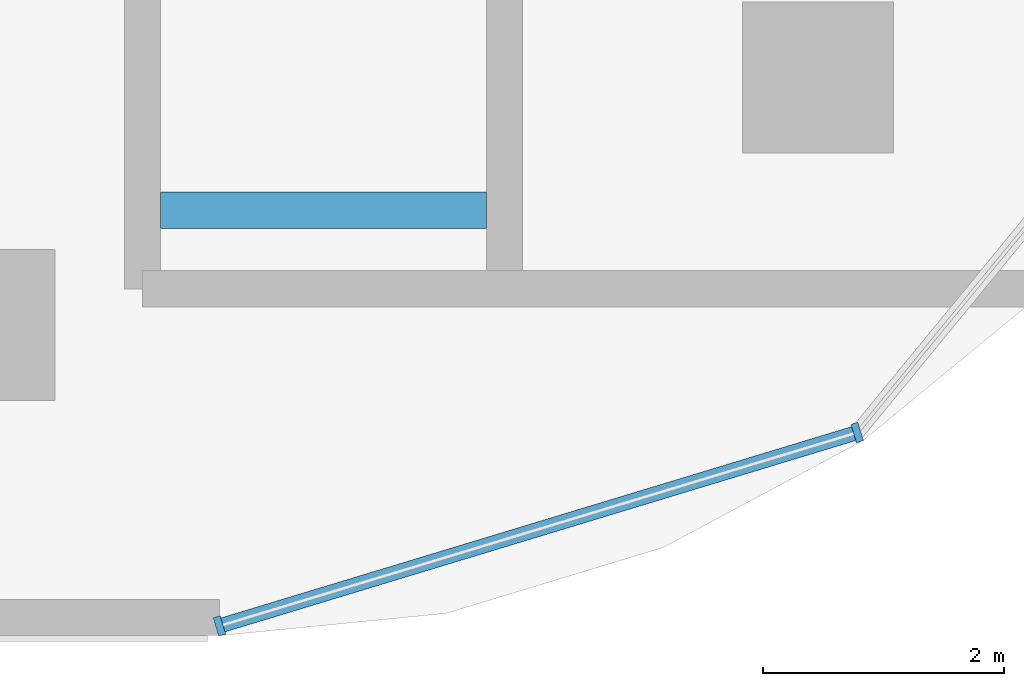
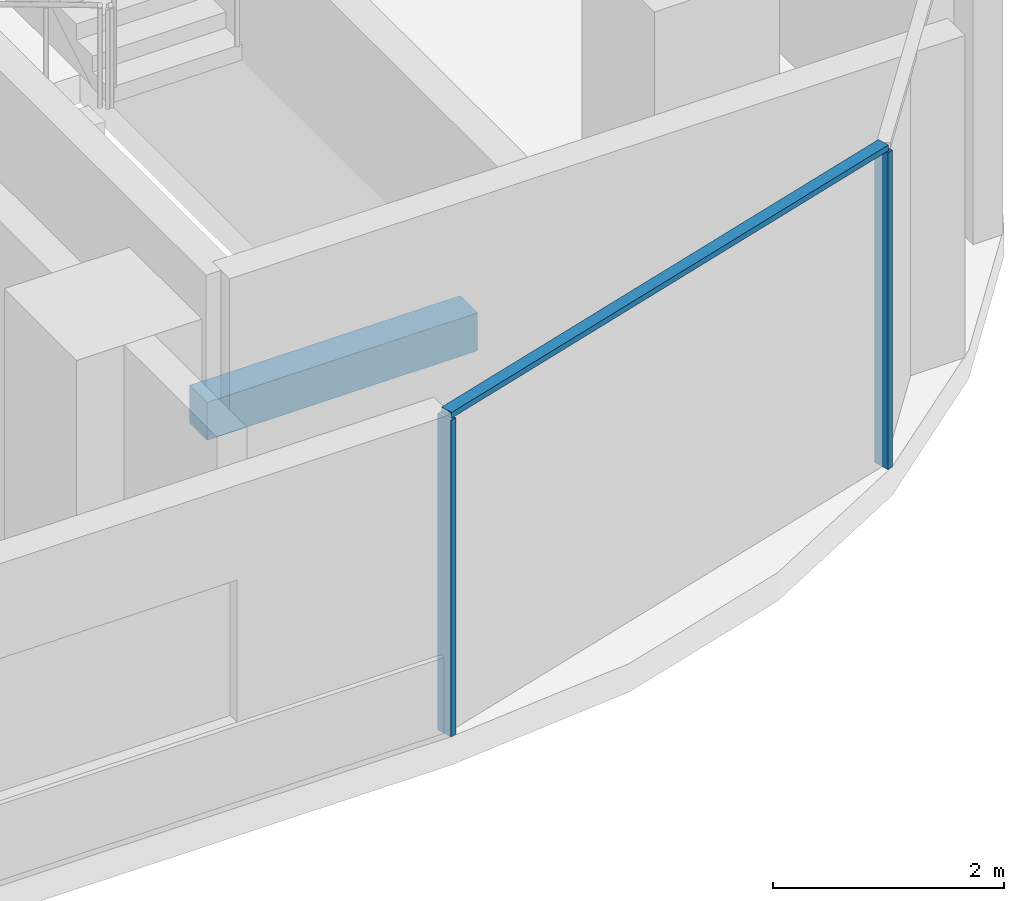
# One storey, part 3 of 23: 3 members, 1 beam, 1 element without a shape of its own.
"""IFC4 building model written with IfcOpenShell, lengths in metres."""

import ifcopenshell
import ifcopenshell.guid

model = None  # the IFC model being written
_history = None  # IfcOwnerHistory: only IFC2X3 demands one
_inside = {}  # id of a spatial element -> (the spatial element, [elements in it])
_under = {}  # id of a project, library or spatial element -> (it, [spatial elements below it])
_declared = {}  # id of a project -> (the project, [libraries it declares])
_typed = {}  # id of a type object -> (the type object, [elements of that type])
_made_of = {}  # id of a material, layer set ... -> (it, [elements and type objects made of it])


def new_model(schema):
    """Start an empty IFC model of exactly this schema.

    Asked for "IFC4X3", IfcOpenShell would pick the latest addendum, in which some entities
    have other attributes; the version numbers below select the first issue.
    IFC2X3 requires an IfcOwnerHistory on every rooted entity: one is made here for all.
    """
    global model, _history
    if schema == "IFC4X3":
        model = ifcopenshell.file(schema_version=(4, 3, 0, 0))
    else:
        model = ifcopenshell.file(schema=schema)
    _inside.clear()
    _under.clear()
    _declared.clear()
    _typed.clear()
    _made_of.clear()
    _history = None
    if model.schema == "IFC2X3":
        org = make("IfcOrganization", Name="unknown")
        user = make(
            "IfcPersonAndOrganization",
            ThePerson=make("IfcPerson", FamilyName="unknown"),
            TheOrganization=org,
        )
        app = make(
            "IfcApplication",
            ApplicationDeveloper=org,
            Version="unknown",
            ApplicationFullName="unknown",
            ApplicationIdentifier="unknown",
        )
        _history = make(
            "IfcOwnerHistory",
            OwningUser=user,
            OwningApplication=app,
            ChangeAction="ADDED",
            CreationDate=0,
        )
    return model


def make(cls, **values):
    """One entity of the class cls with the attributes given. An attribute that is None is left unset."""
    return model.create_entity(
        cls, **{name: value for name, value in values.items() if value is not None}
    )


def rooted(cls, **values):
    """An entity with a GlobalId (a new one), such as an element, a storey or a relation."""
    return make(cls, GlobalId=ifcopenshell.guid.new(), OwnerHistory=_history, **values)


def si_unit(unit_type, name, prefix=None):
    """IfcSIUnit, for example si_unit("LENGTHUNIT", "METRE", prefix="MILLI")."""
    return make("IfcSIUnit", UnitType=unit_type, Prefix=prefix, Name=name)


def assignment(units):
    """IfcUnitAssignment: the units of a project."""
    return None if units is None else make("IfcUnitAssignment", Units=units)


def point(xyz):
    """IfcCartesianPoint."""
    return None if xyz is None else make("IfcCartesianPoint", Coordinates=xyz)


def direction(xyz):
    """IfcDirection."""
    return None if xyz is None else make("IfcDirection", DirectionRatios=xyz)


def frame(location, z_axis=None, x_axis=None):
    """IfcAxis2Placement3D, a coordinate frame: its origin and axes. An axis left out is left unset."""
    return make(
        "IfcAxis2Placement3D",
        Location=point(location),
        Axis=direction(z_axis),
        RefDirection=direction(x_axis),
    )


def frame_2d(location, x_axis=None):
    """IfcAxis2Placement2D, a coordinate frame in the plane: its origin and x axis."""
    return make(
        "IfcAxis2Placement2D", Location=point(location), RefDirection=direction(x_axis)
    )


def origin():
    """The frame at (0, 0, 0) with its axes left unset."""
    return frame((0.0, 0.0, 0.0))


def origin_2d():
    """The frame at (0, 0) in the plane with its x axis left unset."""
    return frame_2d((0.0, 0.0))


def place(relative_to, where):
    """IfcLocalPlacement: puts the frame where relative to a parent placement (None: the world)."""
    return make(
        "IfcLocalPlacement", PlacementRelTo=relative_to, RelativePlacement=where
    )


def context(
    kind, dimensions, precision=None, world=None, true_north=None, identifier=None
):
    """IfcGeometricRepresentationContext, for example the 3D "Model" context."""
    return make(
        "IfcGeometricRepresentationContext",
        ContextIdentifier=identifier,
        ContextType=kind,
        CoordinateSpaceDimension=dimensions,
        Precision=precision,
        WorldCoordinateSystem=world,
        TrueNorth=true_north,
    )


def subcontext(parent, identifier, kind, view, scale=None):
    """IfcGeometricRepresentationSubContext, for example "Body" below "Model"."""
    return make(
        "IfcGeometricRepresentationSubContext",
        ContextIdentifier=identifier,
        ContextType=kind,
        ParentContext=parent,
        TargetScale=scale,
        TargetView=view,
    )


def project(units=None, contexts=None):
    """IfcProject with its units and contexts."""
    return rooted(
        "IfcProject",
        Name="project",
        RepresentationContexts=contexts,
        UnitsInContext=assignment(units),
    )


def spatial(cls, under=None, at=None, **own):
    """A site, building, storey or space (cls), placed at a placement, below another one or the project."""
    s = rooted(cls, ObjectPlacement=at, **own)
    if under is not None:
        _under.setdefault(under.id(), (under, []))[1].append(s)
    return s


def profile(cls, at=None, kind="AREA", **sizes):
    """A parametric profile (cls). Its sizes go by their IFC names, for example OverallWidth=200.0."""
    return make(cls, ProfileType=kind, Position=at, **sizes)


def rectangle(**sizes):
    """IfcRectangleProfileDef."""
    return profile("IfcRectangleProfileDef", **sizes)


def extrude(swept, where, along, depth):
    """IfcExtrudedAreaSolid: the profile swept, set in the frame where, extruded along a direction by depth."""
    return make(
        "IfcExtrudedAreaSolid",
        SweptArea=swept,
        Position=where,
        ExtrudedDirection=direction(along),
        Depth=depth,
    )


def shape(context_of_items, identifier, shape_type, items):
    """IfcShapeRepresentation: the items that make up one representation, for example the "Body"."""
    return make(
        "IfcShapeRepresentation",
        ContextOfItems=context_of_items,
        RepresentationIdentifier=identifier,
        RepresentationType=shape_type,
        Items=items,
    )


def material(Name=None, Category=None):
    """IfcMaterial."""
    return make("IfcMaterial", Name=Name, Category=Category)


def material_profile(
    of_material, cross_section, Name=None, Category=None, Priority=None
):
    """IfcMaterialProfile: a cross section and its material."""
    return make(
        "IfcMaterialProfile",
        Name=Name,
        Material=of_material,
        Profile=cross_section,
        Priority=Priority,
        Category=Category,
    )


def profile_set(profiles, Name=None, composite=None):
    """IfcMaterialProfileSet."""
    return make(
        "IfcMaterialProfileSet",
        Name=Name,
        MaterialProfiles=profiles,
        CompositeProfile=composite,
    )


def made_of(thing, what):
    """Note that an element or type object is made of a material, layer set ...; save() writes the relation."""
    if what is not None:
        _made_of.setdefault(what.id(), (what, []))[1].append(thing)
    return thing


def type_object(cls, material=None, **own):
    """A type object (cls), such as IfcWallType, which elements share."""
    return made_of(rooted(cls, **own), material)


def element(
    cls,
    number,
    at=None,
    inside=None,
    cuts=None,
    type_object=None,
    material=None,
    context=None,
    identifier="Body",
    shape_type=None,
    held_by="IfcProductDefinitionShape",
    body=None,
    shapes=None,
    **own,
):
    """One element of the class cls, such as IfcWall. Its Tag is "e" and its number.

    at: its placement. inside: the storey or other place that contains it. cuts: it is an
    opening in that element (IfcRelVoidsElement). A single representation is given by context,
    identifier, shape_type and body (its items); several are given by shapes. held_by: the class
    of the entity that holds the representations. save() writes the other relations.
    """
    e = rooted(cls, Tag="e%d" % number, ObjectPlacement=at, **own)
    if body is not None:
        shapes = [shape(context, identifier, shape_type, body)]
    if shapes is not None:
        e.Representation = make(held_by, Representations=shapes)
    if inside is not None:
        _inside.setdefault(inside.id(), (inside, []))[1].append(e)
    if cuts is not None:
        rooted(
            "IfcRelVoidsElement", RelatingBuildingElement=cuts, RelatedOpeningElement=e
        )
    if type_object is not None:
        _typed.setdefault(type_object.id(), (type_object, []))[1].append(e)
    return made_of(e, material)


def aggregate(whole, parts):
    """IfcRelAggregates: a whole, such as a stair, and the parts it consists of."""
    return rooted("IfcRelAggregates", RelatingObject=whole, RelatedObjects=parts)


def save(model, path):
    """Write the relations noted so far, then the file.

    IfcRelAggregates (storeys below a building ...), IfcRelContainedInSpatialStructure (elements
    in a storey), IfcRelDefinesByType, IfcRelAssociatesMaterial and IfcRelDeclares: one each for
    every whole, place, type object, material and project.
    """
    for whole, parts in _under.values():
        aggregate(whole, parts)
    for where, things in _inside.values():
        rooted(
            "IfcRelContainedInSpatialStructure",
            RelatedElements=things,
            RelatingStructure=where,
        )
    for kind, things in _typed.values():
        rooted("IfcRelDefinesByType", RelatedObjects=things, RelatingType=kind)
    for what, things in _made_of.values():
        rooted("IfcRelAssociatesMaterial", RelatedObjects=things, RelatingMaterial=what)
    for by, libraries in _declared.values():
        rooted("IfcRelDeclares", RelatingContext=by, RelatedDefinitions=libraries)
    model.write(path)


model = new_model("IFC4")

# Units and contexts
model_context = context("Model", 3, precision=1e-05, world=origin(), true_north=direction((0.0, 1.0)))
body_context = subcontext(model_context, "Body", "Model", "MODEL_VIEW")
ifc_project = project(units=[si_unit("LENGTHUNIT", "METRE"), si_unit("AREAUNIT", "SQUARE_METRE"), si_unit("VOLUMEUNIT", "CUBIC_METRE"), si_unit("PLANEANGLEUNIT", "RADIAN"), si_unit("MASSUNIT", "GRAM", prefix="KILO")], contexts=[model_context])

# Site, building, storey
site_placement = place(None, origin())
site = spatial("IfcSite", under=ifc_project, at=site_placement, CompositionType="ELEMENT")
building_placement = place(site_placement, origin())
building = spatial("IfcBuilding", under=site, at=building_placement, Name="Ogive Portal Towers", CompositionType="ELEMENT")
storey_placement = place(building_placement, frame((0.0, 0.0, 120.39990234375)))
storey = spatial("IfcBuildingStorey", under=building, at=storey_placement, Name="L29", CompositionType="ELEMENT", Elevation=120.39990234375)

# Beam
ifc_material_1 = material(Name="Concrete C40/50", Category="concrete")
ifc_material_profile_1 = material_profile(ifc_material_1, rectangle(XDim=0.300048828125, YDim=0.39990234375, at=origin_2d()), Name="RC 300x400")
ifc_profile_set_1 = profile_set([ifc_material_profile_1], Name="Concrete C40/50")
beam_type = type_object("IfcBeamType", Name="BEAM RC 300x400", PredefinedType="BEAM", material=ifc_profile_set_1)
beam_placement = place(storey_placement, frame((87.0, 22.449951171875, 1.4501953125), z_axis=(1.0, 0.0, 0.0), x_axis=(0.0, 1.0, 0.0)))
element("IfcBeam", 1, at=beam_placement, inside=storey, type_object=beam_type, Name="Landing beam L29", PredefinedType="BEAM", context=body_context, shape_type="SweptSolid", body=[
    extrude(rectangle(XDim=0.300048828125, YDim=0.39990234375, at=origin_2d()), origin(), (0.0, 0.0, 1.0), 2.699951171875),
])

# Curtain wall, members
ifc_material_2 = material(Name="Glass, clear low-iron insulated glazing", Category="glass")
curtain_wall_type = type_object("IfcCurtainWallType", Name="CW FRONT RIBBON 4500", PredefinedType="NOTDEFINED", material=ifc_material_2)
curtain_wall_placement = place(storey_placement, origin())
curtain_wall = element("IfcCurtainWall", 2, at=curtain_wall_placement, inside=storey, type_object=curtain_wall_type, Name="A:L29:f09:cwa", PredefinedType="NOTDEFINED")
ifc_material_3 = material(Name="Aluminium 6063 anodised", Category="aluminium")
ifc_material_profile_2 = material_profile(ifc_material_3, rectangle(XDim=0.159912109375, YDim=0.06005859375, at=origin_2d()), Name="AL 60x160")
ifc_profile_set_2 = profile_set([ifc_material_profile_2], Name="Aluminium 6063 anodised")
member_type_1 = type_object("IfcMemberType", Name="CW MULLION 60x160", PredefinedType="MULLION", material=ifc_profile_set_2)
member_1_placement = place(storey_placement, frame((87.488037109375, 19.0048828125, 0.0), z_axis=(0.0, 0.0, 1.0), x_axis=(-0.290284677254, 0.956940335732, 0.0)))
member_1 = element("IfcMember", 3, at=member_1_placement, type_object=member_type_1, Name="mullion", PredefinedType="MULLION", context=body_context, shape_type="SweptSolid", body=[
    extrude(rectangle(XDim=0.159912109375, YDim=0.06005859375, at=origin_2d()), origin(), (0.0, 0.0, 1.0), 3.340087890625),
])
member_2_placement = place(storey_placement, frame((92.773193359375, 20.608154296875, 0.0), z_axis=(0.0, 0.0, 1.0), x_axis=(-0.290284677254, 0.956940335732, 0.0)))
member_2 = element("IfcMember", 4, at=member_2_placement, type_object=member_type_1, Name="mullion", PredefinedType="MULLION", context=body_context, shape_type="SweptSolid", body=[
    extrude(rectangle(XDim=0.159912109375, YDim=0.06005859375, at=origin_2d()), origin(), (0.0, 0.0, 1.0), 3.340087890625),
])
ifc_material_profile_3 = material_profile(ifc_material_3, rectangle(XDim=0.1201171875, YDim=0.06005859375, at=origin_2d()), Name="AL 120x60")
ifc_profile_set_3 = profile_set([ifc_material_profile_3], Name="Aluminium 6063 anodised")
member_type_2 = type_object("IfcMemberType", Name="CW TRANSOM 60x120", PredefinedType="USERDEFINED", material=ifc_profile_set_3)
member_3_placement = place(storey_placement, frame((87.488037109375, 19.0048828125, 3.3701171875), z_axis=(0.956938481614, 0.290290789392, 0.0), x_axis=(-0.290290789392, 0.956938481614, 0.0)))
member_3 = element("IfcMember", 5, at=member_3_placement, type_object=member_type_2, Name="transom", ObjectType="TRANSOM", PredefinedType="USERDEFINED", context=body_context, shape_type="SweptSolid", body=[
    extrude(rectangle(XDim=0.1201171875, YDim=0.06005859375, at=origin_2d()), origin(), (0.0, 0.0, 1.0), 5.52294921875),
])
aggregate(curtain_wall, [member_3, member_1, member_2])

save(model, "model.ifc")
